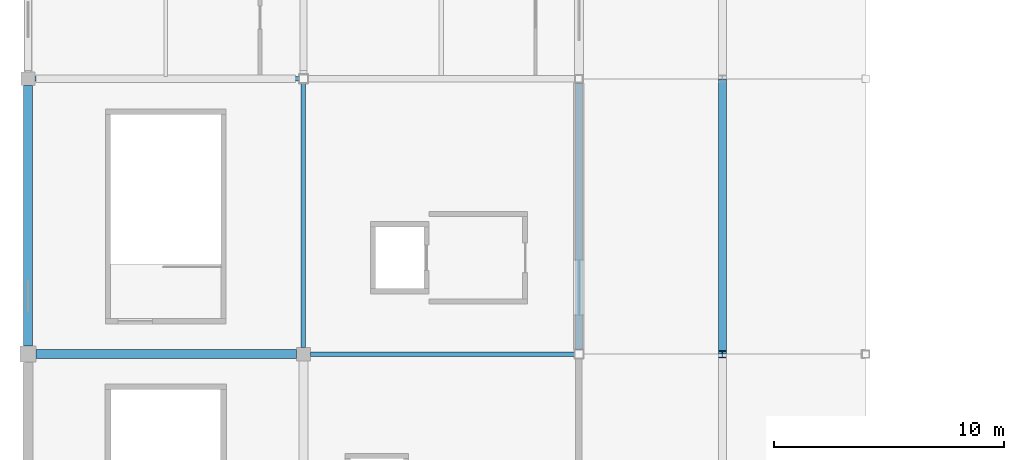
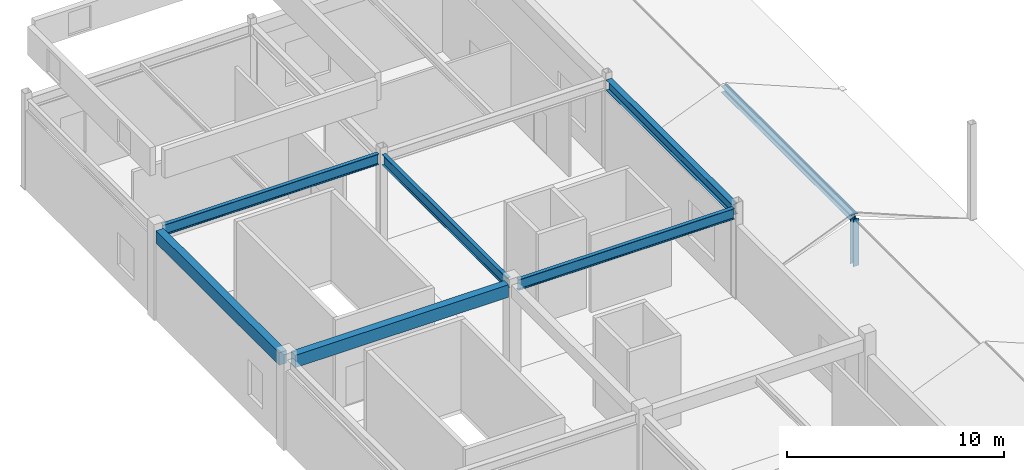
# One storey, part 40 of 76: 6 beams, 2 members.
"""IFC4 building model written with IfcOpenShell, lengths in metres."""

from ifc_helpers import new_model, si_unit, direction, frame, origin, origin_2d, place, context, subcontext, project, spatial, rectangle, i_section, extrude, material, material_profile, profile_set, type_object, element, save


model = new_model("IFC4")

# Units and contexts
model_context = context("Model", 3, precision=1e-05, world=origin(), true_north=direction((0.0, 1.0)))
body_context = subcontext(model_context, "Body", "Model", "MODEL_VIEW")
ifc_project = project(units=[si_unit("LENGTHUNIT", "METRE"), si_unit("AREAUNIT", "SQUARE_METRE"), si_unit("VOLUMEUNIT", "CUBIC_METRE"), si_unit("PLANEANGLEUNIT", "RADIAN"), si_unit("MASSUNIT", "GRAM", prefix="KILO")], contexts=[model_context])

# Site, building, storey
site_placement = place(None, origin())
site = spatial("IfcSite", under=ifc_project, at=site_placement, CompositionType="ELEMENT")
building_placement = place(site_placement, origin())
building = spatial("IfcBuilding", under=site, at=building_placement, Name="Kazenohara Klinker Stadium", CompositionType="ELEMENT")
storey_placement = place(building_placement, frame((0.0, 0.0, 25.800048828125)))
storey = spatial("IfcBuildingStorey", under=building, at=storey_placement, Name="L05", CompositionType="ELEMENT", Elevation=25.800048828125)

# Beams
ifc_material_1 = material(Name="Concrete C40/50", Category="concrete")
ifc_material_profile_1 = material_profile(ifc_material_1, rectangle(XDim=0.39990234375, YDim=0.699951171875, at=origin_2d()), Name="RC-BM-400x700")
ifc_profile_set_1 = profile_set([ifc_material_profile_1], Name="Concrete C40/50")
beam_type_1 = type_object("IfcBeamType", Name="BM-RC04", PredefinedType="BEAM", material=ifc_profile_set_1)
for number, where, z_axis, x_axis, name in (
    (1, (0.35009765625, 144.0, 4.68994140625), (1.0, 0.0, 0.0), (0.0, 1.0, 0.0), "Primary girder BG04 L05 1-2/N"),
    (2, (0.0, 144.35009765625, 4.68994140625), (0.0, 1.0, 0.0), (-1.0, 0.0, 0.0), "Primary girder BG04 L05 1/N-P"),
):
    element("IfcBeam", number, at=place(storey_placement, frame(where, z_axis=z_axis, x_axis=x_axis)), inside=storey, type_object=beam_type_1, Name=name, PredefinedType="BEAM", context=body_context, shape_type="SweptSolid", body=[
        extrude(rectangle(XDim=0.39990234375, YDim=0.699951171875, at=origin_2d()), origin(), (0.0, 0.0, 1.0), 11.349853515625),
    ])
ifc_material_2 = material(Name="Steel S355", Category="steel")
ifc_material_profile_2 = material_profile(ifc_material_2, i_section(OverallWidth=0.199951171875, OverallDepth=0.60009765625, WebThickness=0.010986328125, FlangeThickness=0.01708984375, FilletRadius=0.012939453125, at=origin_2d()), Name="H-600x200x11x17")
ifc_profile_set_2 = profile_set([ifc_material_profile_2], Name="Steel S355")
beam_type_2 = type_object("IfcBeamType", Name="BM-ST04", PredefinedType="BEAM", material=ifc_profile_set_2)
for number, where, z_axis, x_axis, name in (
    (3, (0.300048828125, 156.0, 4.739990234375), (1.0, 0.0, 0.0), (0.0, 1.0, 0.0), "Primary girder SB04 L05 1-2/P"),
    (4, (12.300048828125, 144.0, 4.739990234375), (1.0, 0.0, 0.0), (0.0, 1.0, 0.0), "Primary girder SB04 L05 2-3/N"),
    (5, (12.0, 144.300048828125, 4.739990234375), (0.0, 1.0, 0.0), (-1.0, 0.0, 0.0), "Primary girder SB04 L05 2/N-P"),
):
    element("IfcBeam", number, at=place(storey_placement, frame(where, z_axis=z_axis, x_axis=x_axis)), inside=storey, type_object=beam_type_2, Name=name, PredefinedType="BEAM", context=body_context, shape_type="SweptSolid", body=[
        extrude(i_section(OverallWidth=0.199951171875, OverallDepth=0.60009765625, WebThickness=0.010986328125, FlangeThickness=0.01708984375, FilletRadius=0.012939453125, at=origin_2d()), origin(), (0.0, 0.0, 1.0), 11.5),
    ])
ifc_material_profile_3 = material_profile(ifc_material_2, i_section(OverallWidth=0.300048828125, OverallDepth=0.587890625, WebThickness=0.011962890625, FlangeThickness=0.02001953125, FilletRadius=0.02197265625, at=origin_2d()), Name="H-588x300x12x20")
ifc_profile_set_3 = profile_set([ifc_material_profile_3], Name="Steel S355")
beam_type_3 = type_object("IfcBeamType", Name="BM-ST05", PredefinedType="BEAM", material=ifc_profile_set_3)
beam_placement = place(storey_placement, frame((24.0, 144.199951171875, 4.745849609375), z_axis=(0.0, 1.0, 0.0), x_axis=(-1.0, 0.0, 0.0)))
element("IfcBeam", 6, at=beam_placement, inside=storey, type_object=beam_type_3, Name="Primary girder SB05 L05 3/N-P", PredefinedType="BEAM", context=body_context, shape_type="SweptSolid", body=[
    extrude(i_section(OverallWidth=0.300048828125, OverallDepth=0.587890625, WebThickness=0.011962890625, FlangeThickness=0.02001953125, FilletRadius=0.02197265625, at=origin_2d()), origin(), (0.0, 0.0, 1.0), 11.625),
])

# Members
ifc_material_profile_4 = material_profile(ifc_material_2, i_section(OverallWidth=0.35009765625, OverallDepth=0.35009765625, WebThickness=0.011962890625, FlangeThickness=0.01904296875, FilletRadius=0.012939453125, at=origin_2d()), Name="H-350x350x12x19")
ifc_profile_set_4 = profile_set([ifc_material_profile_4], Name="Steel S355")
member_type_1 = type_object("IfcMemberType", Name="MEM-CHD02", PredefinedType="CHORD", material=ifc_profile_set_4)
member_1_placement = place(storey_placement, frame((30.25, 144.0, 2.22998046875), z_axis=(0.0, 1.0, 0.0), x_axis=(-1.0, 0.0, 0.0)))
element("IfcMember", 7, at=member_1_placement, inside=storey, type_object=member_type_1, Name="Stepped pavilion gable ridge beam L05 3/N", PredefinedType="CHORD", context=body_context, shape_type="SweptSolid", body=[
    extrude(i_section(OverallWidth=0.35009765625, OverallDepth=0.35009765625, WebThickness=0.011962890625, FlangeThickness=0.01904296875, FilletRadius=0.012939453125, at=origin_2d()), origin(), (0.0, 0.0, 1.0), 12.0),
])
ifc_material_profile_5 = material_profile(ifc_material_2, i_section(OverallWidth=0.300048828125, OverallDepth=0.300048828125, WebThickness=0.010009765625, FlangeThickness=0.014892578125, FilletRadius=0.012939453125, at=origin_2d()), Name="H-300x300x10x15")
ifc_profile_set_5 = profile_set([ifc_material_profile_5], Name="Steel S355")
member_type_2 = type_object("IfcMemberType", Name="MEM-STR01", PredefinedType="STRUT", material=ifc_profile_set_5)
member_2_placement = place(storey_placement, frame((30.25, 144.0, -0.429931640625), z_axis=(0.0, 0.0, 1.0), x_axis=(1.0, 0.0, 0.0)))
element("IfcMember", 8, at=member_2_placement, inside=storey, type_object=member_type_2, Name="Stepped pavilion gable king-post L05 3/N S", PredefinedType="STRUT", context=body_context, shape_type="SweptSolid", body=[
    extrude(i_section(OverallWidth=0.300048828125, OverallDepth=0.300048828125, WebThickness=0.010009765625, FlangeThickness=0.014892578125, FilletRadius=0.012939453125, at=origin_2d()), origin(), (0.0, 0.0, 1.0), 2.659912109375),
])

save(model, "model.ifc")
